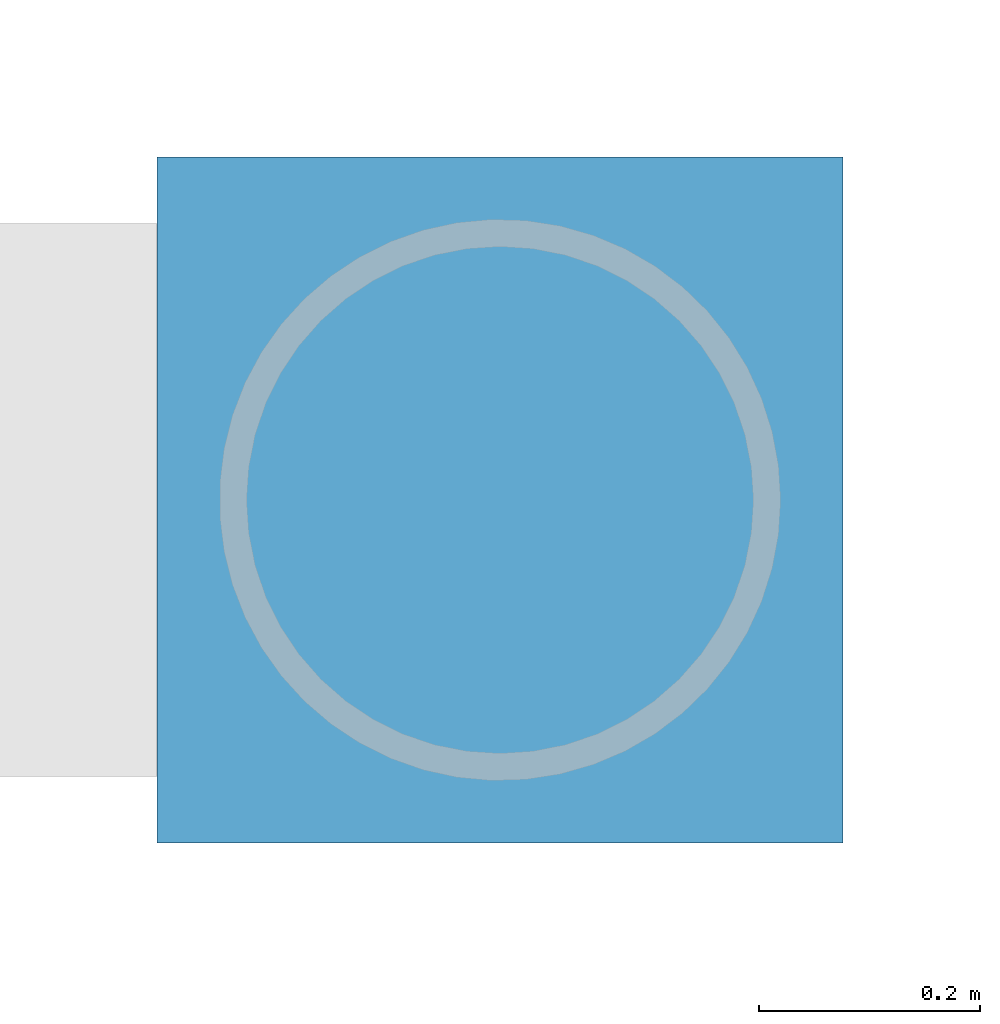
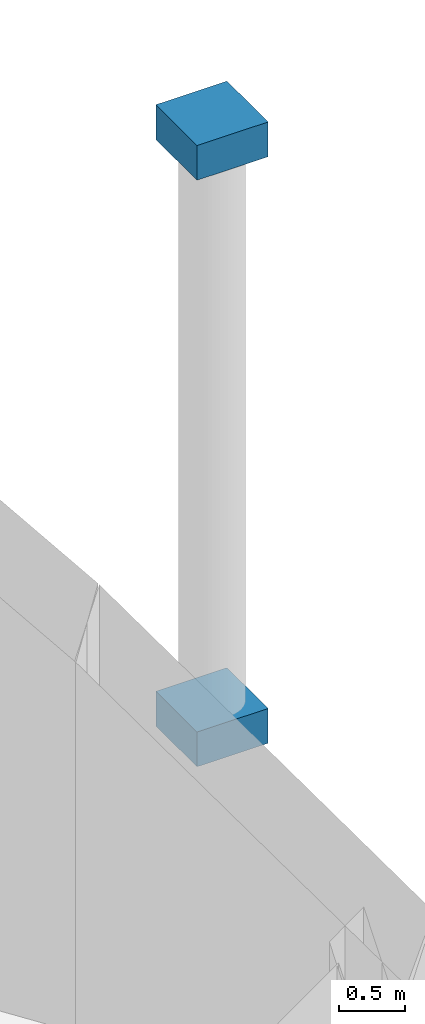
# One storey, part 101 of 129: 2 discrete accessories.
"""IFC4 building model written with IfcOpenShell, lengths in metres."""

from ifc_helpers import new_model, si_unit, direction, frame, origin, origin_2d, place, context, subcontext, project, spatial, rectangle, extrude, material, type_object, element, save


model = new_model("IFC4")

# Units and contexts
model_context = context("Model", 3, precision=1e-05, world=origin(), true_north=direction((0.0, 1.0)))
body_context = subcontext(model_context, "Body", "Model", "MODEL_VIEW")
ifc_project = project(units=[si_unit("LENGTHUNIT", "METRE"), si_unit("AREAUNIT", "SQUARE_METRE"), si_unit("VOLUMEUNIT", "CUBIC_METRE"), si_unit("PLANEANGLEUNIT", "RADIAN"), si_unit("MASSUNIT", "GRAM", prefix="KILO")], contexts=[model_context])

# Site, building, storey
site_placement = place(None, origin())
site = spatial("IfcSite", under=ifc_project, at=site_placement, CompositionType="ELEMENT")
building_placement = place(site_placement, origin())
building = spatial("IfcBuilding", under=site, at=building_placement, Name="Danafjord Basin Convention Centre", CompositionType="ELEMENT")
storey_placement = place(building_placement, frame((0.0, 0.0, 6.0)))
storey = spatial("IfcBuildingStorey", under=building, at=storey_placement, Name="L01", CompositionType="ELEMENT", Elevation=6.0)

# Discrete accessories
ifc_material = material(Name="Steel S355", Category="steel")
discrete_accessory_type = type_object("IfcDiscreteAccessoryType", Name="ACC-SF-HUB", PredefinedType="BRACKET", material=ifc_material)
for number, where, z_axis, x_axis, name in (
    (1, (201.60009765625, 128.0, -0.16015625), (0.0, 0.0, 1.0), (1.0, 0.0, 0.0), "Tubular steel column transition collar"),
    (2, (201.60009765625, 128.0, 5.23974609375), (0.0, 0.0, 1.0), (1.0, 0.0, 0.0), "Tubular steel column top cap plate"),
):
    element("IfcDiscreteAccessory", number, at=place(storey_placement, frame(where, z_axis=z_axis, x_axis=x_axis)), inside=storey, type_object=discrete_accessory_type, Name=name, PredefinedType="BRACKET", context=body_context, shape_type="SweptSolid", body=[
        extrude(rectangle(XDim=0.6201171875, YDim=0.6201171875, at=origin_2d()), origin(), (0.0, 0.0, 1.0), 0.320068359375),
    ])

save(model, "model.ifc")
